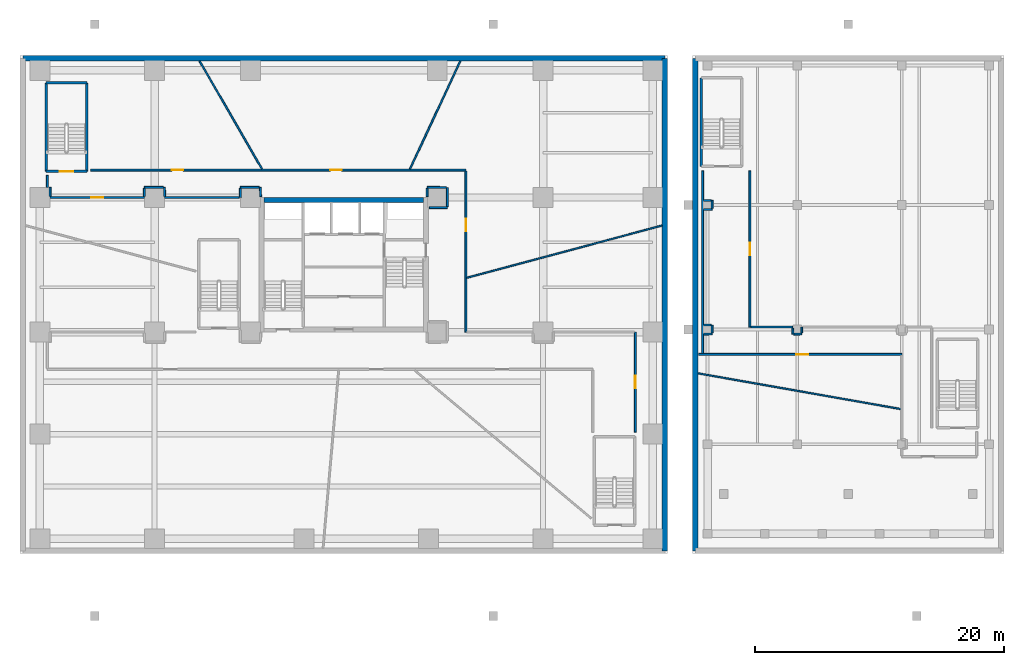
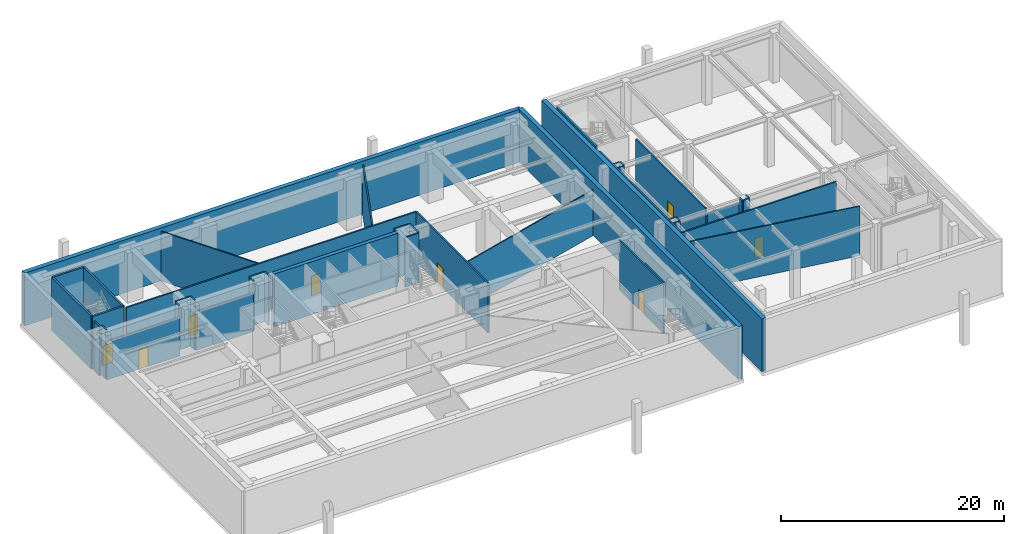
# One storey, part 5 of 12: 43 walls, 8 doors, 8 openings.
"""IFC4 building model written with IfcOpenShell, lengths in metres."""

from ifc_helpers import new_model, si_unit, direction, frame, frame_2d, origin, place, context, subcontext, project, spatial, rectangle, extrude, source, transform, mapped, material, layer, layer_set, type_object, type_shapes, element, fill, save


model = new_model("IFC4")

# Units and contexts
model_context = context("Model", 3, precision=1e-05, world=origin(), true_north=direction((0.0, 1.0)))
body_context = subcontext(model_context, "Body", "Model", "MODEL_VIEW")
ifc_project = project(units=[si_unit("LENGTHUNIT", "METRE"), si_unit("AREAUNIT", "SQUARE_METRE"), si_unit("VOLUMEUNIT", "CUBIC_METRE"), si_unit("PLANEANGLEUNIT", "RADIAN"), si_unit("MASSUNIT", "GRAM", prefix="KILO")], contexts=[model_context])

# Site, building, storey
site_placement = place(None, origin())
site = spatial("IfcSite", under=ifc_project, at=site_placement, CompositionType="ELEMENT")
building_placement = place(site_placement, origin())
building = spatial("IfcBuilding", under=site, at=building_placement, Name="Talar Marvaseh", CompositionType="ELEMENT")
storey_placement = place(building_placement, frame((0.0, 0.0, -5.800048828125)))
storey = spatial("IfcBuildingStorey", under=building, at=storey_placement, Name="B01", CompositionType="ELEMENT", Elevation=-5.800048828125)

# Walls
ifc_material_1 = material(Name="Concrete C50/60", Category="concrete")
ifc_layer_1 = layer(ifc_material_1, 0.449951171875)
ifc_layer_set_1 = layer_set([ifc_layer_1], Name="Concrete C50/60")
wall_type_1 = type_object("IfcWallType", Name="Basement Perimeter Waterproof Retaining Wall 450", PredefinedType="SHEAR", material=ifc_layer_set_1)
wall_1_placement = place(storey_placement, frame((0.22509765625, 47.77490234375, 0.0), z_axis=(0.0, 0.0, 1.0), x_axis=(1.0, 0.0, 0.0)))
element("IfcWall", 1, at=wall_1_placement, inside=storey, type_object=wall_type_1, Name="B01 Basement Retaining Wall", PredefinedType="SHEAR", context=body_context, shape_type="SweptSolid", body=[
    extrude(rectangle(XDim=51.5498046875, YDim=0.449951171875, at=frame_2d((25.77490234375, 0.0))), origin(), (0.0, 0.0, 1.0), 5.800048828125),
])
for number, where, z_axis, x_axis, name in (
    (2, (51.77490234375, 47.77490234375, 0.0), (0.0, 0.0, 1.0), (0.0, -1.0, 0.0), "B01 Basement Retaining Wall"),
    (3, (54.22509765625, 8.22509765625, 0.0), (0.0, 0.0, 1.0), (0.0, 1.0, 0.0), "B01 Basement Retaining Wall"),
):
    element("IfcWall", number, at=place(storey_placement, frame(where, z_axis=z_axis, x_axis=x_axis)), inside=storey, type_object=wall_type_1, Name=name, PredefinedType="SHEAR", context=body_context, shape_type="SweptSolid", body=[
        extrude(rectangle(XDim=39.5498046875, YDim=0.449951171875, at=frame_2d((19.77490234375, 0.0))), origin(), (0.0, 0.0, 1.0), 5.800048828125),
    ])

# Wall, opening, door
ifc_material_2 = material(Name="Gypsum Board Partition Assembly")
ifc_layer_2 = layer(ifc_material_2, 0.155029296875)
ifc_layer_set_2 = layer_set([ifc_layer_2], Name="Gypsum Board Partition Assembly")
wall_type_2 = type_object("IfcWallType", Name="Corridor Fire-Rated Acoustic Partition 155", PredefinedType="PARTITIONING", material=ifc_layer_set_2)
wall_2_placement = place(storey_placement, frame((9.985107421875, 36.60009765625, 0.0), z_axis=(0.0, 0.0, 1.0), x_axis=(-1.0, 0.0, 0.0)))
wall_2 = element("IfcWall", 4, at=wall_2_placement, inside=storey, type_object=wall_type_2, Name="B01 Interior Partition Wall", PredefinedType="PARTITIONING", context=body_context, shape_type="SweptSolid", body=[
    extrude(rectangle(XDim=7.570068359375, YDim=0.155029296875, at=frame_2d((3.78515625, 0.0))), origin(), (0.0, 0.0, 1.0), 4.22509765625),
])
opening_1_placement = place(wall_2_placement, frame((3.31005859375, 0.0, 0.0)))
opening_1 = element("IfcOpeningElement", 5, at=opening_1_placement, cuts=wall_2, Name="Opening DR-WC095", PredefinedType="OPENING", context=body_context, shape_type="SweptSolid", body=[
    extrude(rectangle(XDim=0.949951171875, YDim=2.14990234375, at=frame_2d((0.47509765625, 1.074951171875))), frame((0.0, 0.08740234375, 0.0), z_axis=(0.0, -1.0, 0.0), x_axis=(1.0, 0.0, 0.0)), (0.0, 0.0, 1.0), 0.175048828125),
])
ifc_material_3 = material(Name="Acoustic Engineered Oak Timber", Category="wood")
door_type_1 = type_object("IfcDoorType", Name="Washroom and Service Room Door 950x2150", OperationType="NOTDEFINED", PredefinedType="DOOR", material=ifc_material_3)
shared_shape_1 = source(origin(), body_context, "Body", "SweptSolid", [
    extrude(rectangle(XDim=0.949951171875, YDim=2.14990234375, at=frame_2d((0.47509765625, 1.074951171875))), frame((0.0, 0.02490234375, 0.0), z_axis=(0.0, -1.0, 0.0), x_axis=(1.0, 0.0, 0.0)), (0.0, 0.0, 1.0), 0.050048828125),
])
type_shapes(door_type_1, [shared_shape_1])
door_1_placement = place(opening_1_placement, origin())
door_1 = element("IfcDoor", 6, at=door_1_placement, inside=storey, type_object=door_type_1, Name="B01 WC Public Washrooms Door", OperationType="SINGLE_SWING_RIGHT", OverallHeight=2.14990234375, OverallWidth=0.949951171875, PredefinedType="DOOR", context=body_context, shape_type="MappedRepresentation", body=[
    mapped(shared_shape_1, transform((0.0, 0.0, 0.0), x_axis=(1.0, 0.0, 0.0), y_axis=(0.0, 1.0, 0.0), z_axis=(0.0, 0.0, 1.0), scale=1.0)),
])
fill(opening_1, door_1)

# Wall, openings, doors
wall_3_placement = place(storey_placement, frame((5.669921875, 38.800048828125, 0.0), z_axis=(0.0, 0.0, 1.0), x_axis=(1.0, 0.0, 0.0)))
wall_3 = element("IfcWall", 7, at=wall_3_placement, inside=storey, type_object=wall_type_2, Name="B01 Interior Partition Wall", PredefinedType="PARTITIONING", context=body_context, shape_type="SweptSolid", body=[
    extrude(rectangle(XDim=30.130126953125, YDim=0.155029296875, at=frame_2d((15.06494140625, 0.0))), origin(), (0.0, 0.0, 1.0), 5.449951171875),
])
opening_2_placement = place(wall_3_placement, frame((19.22412109375, 0.0, 0.0)))
opening_2 = element("IfcOpeningElement", 8, at=opening_2_placement, cuts=wall_3, Name="Opening DR-WC095", PredefinedType="OPENING", context=body_context, shape_type="SweptSolid", body=[
    extrude(rectangle(XDim=0.949951171875, YDim=2.14990234375, at=frame_2d((0.47509765625, 1.074951171875))), frame((0.0, 0.08740234375, 0.0), z_axis=(0.0, -1.0, 0.0), x_axis=(1.0, 0.0, 0.0)), (0.0, 0.0, 1.0), 0.175048828125),
])
opening_3_placement = place(wall_3_placement, frame((6.497802734375, 0.0, 0.0)))
opening_3 = element("IfcOpeningElement", 9, at=opening_3_placement, cuts=wall_3, Name="Opening DR-WC095", PredefinedType="OPENING", context=body_context, shape_type="SweptSolid", body=[
    extrude(rectangle(XDim=0.949951171875, YDim=2.14990234375, at=frame_2d((0.47509765625, 1.074951171875))), frame((0.0, 0.08740234375, 0.0), z_axis=(0.0, -1.0, 0.0), x_axis=(1.0, 0.0, 0.0)), (0.0, 0.0, 1.0), 0.175048828125),
])
door_2_placement = place(opening_2_placement, origin())
door_2 = element("IfcDoor", 10, at=door_2_placement, inside=storey, type_object=door_type_1, Name="B01 Bicycle Parking Hub Door", OperationType="SINGLE_SWING_RIGHT", OverallHeight=2.14990234375, OverallWidth=0.949951171875, PredefinedType="DOOR", context=body_context, shape_type="MappedRepresentation", body=[
    mapped(shared_shape_1, transform((0.0, 0.0, 0.0), x_axis=(1.0, 0.0, 0.0), y_axis=(0.0, 1.0, 0.0), z_axis=(0.0, 0.0, 1.0), scale=1.0)),
])
fill(opening_2, door_2)
door_3_placement = place(opening_3_placement, origin())
door_3 = element("IfcDoor", 11, at=door_3_placement, inside=storey, type_object=door_type_1, Name="B01 Concourse Staff Pantry Door", OperationType="SINGLE_SWING_LEFT", OverallHeight=2.14990234375, OverallWidth=0.949951171875, PredefinedType="DOOR", context=body_context, shape_type="MappedRepresentation", body=[
    mapped(shared_shape_1, transform((0.0, 0.0, 0.0), x_axis=(1.0, 0.0, 0.0), y_axis=(0.0, 1.0, 0.0), z_axis=(0.0, 0.0, 1.0), scale=1.0)),
])
fill(opening_3, door_3)

# Wall, opening, door
wall_4_placement = place(storey_placement, frame((35.800048828125, 38.716552734375, 0.0), z_axis=(0.0, 0.0, 1.0), x_axis=(0.0, -1.0, 0.0)))
wall_4 = element("IfcWall", 12, at=wall_4_placement, inside=storey, type_object=wall_type_2, Name="B01 Interior Partition Wall", PredefinedType="PARTITIONING", context=body_context, shape_type="SweptSolid", body=[
    extrude(rectangle(XDim=12.91650390625, YDim=0.155029296875, at=frame_2d((6.458251953125, 0.0))), origin(), (0.0, 0.0, 1.0), 5.449951171875),
])
opening_4_placement = place(wall_4_placement, frame((3.823486328125, 0.0, 0.0)))
opening_4 = element("IfcOpeningElement", 13, at=opening_4_placement, cuts=wall_4, Name="Opening DR-RM100", PredefinedType="OPENING", context=body_context, shape_type="SweptSolid", body=[
    extrude(rectangle(XDim=1.0, YDim=2.14990234375, at=frame_2d((0.5, 1.074951171875))), frame((0.0, 0.08740234375, 0.0), z_axis=(0.0, -1.0, 0.0), x_axis=(1.0, 0.0, 0.0)), (0.0, 0.0, 1.0), 0.175048828125),
])
door_type_2 = type_object("IfcDoorType", Name="Corridor Fire-Rated Gallery Door 1000x2150", OperationType="NOTDEFINED", PredefinedType="DOOR", material=ifc_material_3)
shared_shape_2 = source(origin(), body_context, "Body", "SweptSolid", [
    extrude(rectangle(XDim=1.0, YDim=2.14990234375, at=frame_2d((0.5, 1.074951171875))), frame((0.0, 0.02490234375, 0.0), z_axis=(0.0, -1.0, 0.0), x_axis=(1.0, 0.0, 0.0)), (0.0, 0.0, 1.0), 0.050048828125),
])
type_shapes(door_type_2, [shared_shape_2])
door_4_placement = place(opening_4_placement, origin())
door_4 = element("IfcDoor", 14, at=door_4_placement, inside=storey, type_object=door_type_2, Name="B01 Station Control Room Door", OperationType="SINGLE_SWING_LEFT", OverallHeight=2.14990234375, OverallWidth=1.0, PredefinedType="DOOR", context=body_context, shape_type="MappedRepresentation", body=[
    mapped(shared_shape_2, transform((0.0, 0.0, 0.0), x_axis=(1.0, 0.0, 0.0), y_axis=(0.0, 1.0, 0.0), z_axis=(0.0, 0.0, 1.0), scale=1.0)),
])
fill(opening_4, door_4)

wall_5_placement = place(storey_placement, frame((49.39990234375, 25.800048828125, 0.0), z_axis=(0.0, 0.0, 1.0), x_axis=(0.0, -1.0, 0.0)))
wall_5 = element("IfcWall", 15, at=wall_5_placement, inside=storey, type_object=wall_type_2, Name="B01 Interior Partition Wall", PredefinedType="PARTITIONING", context=body_context, shape_type="SweptSolid", body=[
    extrude(rectangle(XDim=8.030029296875, YDim=0.155029296875, at=frame_2d((4.01513671875, 0.0))), origin(), (0.0, 0.0, 1.0), 5.449951171875),
])
opening_5_placement = place(wall_5_placement, frame((3.514892578125, 0.0, 0.0)))
opening_5 = element("IfcOpeningElement", 16, at=opening_5_placement, cuts=wall_5, Name="Opening DR-RM100", PredefinedType="OPENING", context=body_context, shape_type="SweptSolid", body=[
    extrude(rectangle(XDim=1.0, YDim=2.14990234375, at=frame_2d((0.5, 1.074951171875))), frame((0.0, 0.08740234375, 0.0), z_axis=(0.0, -1.0, 0.0), x_axis=(1.0, 0.0, 0.0)), (0.0, 0.0, 1.0), 0.175048828125),
])
door_5_placement = place(opening_5_placement, origin())
door_5 = element("IfcDoor", 17, at=door_5_placement, inside=storey, type_object=door_type_2, Name="B01 Ticket Vending and Customer Office Door", OperationType="SINGLE_SWING_RIGHT", OverallHeight=2.14990234375, OverallWidth=1.0, PredefinedType="DOOR", context=body_context, shape_type="MappedRepresentation", body=[
    mapped(shared_shape_2, transform((0.0, 0.0, 0.0), x_axis=(1.0, 0.0, 0.0), y_axis=(0.0, 1.0, 0.0), z_axis=(0.0, 0.0, 1.0), scale=1.0)),
])
fill(opening_5, door_5)

wall_6_placement = place(storey_placement, frame((70.800048828125, 24.0, 0.0), z_axis=(0.0, 0.0, 1.0), x_axis=(-1.0, 0.0, 0.0)))
wall_6 = element("IfcWall", 18, at=wall_6_placement, inside=storey, type_object=wall_type_2, Name="B01 Interior Partition Wall", PredefinedType="PARTITIONING", context=body_context, shape_type="SweptSolid", body=[
    extrude(rectangle(XDim=16.31494140625, YDim=0.155029296875, at=frame_2d((8.157470703125, 0.0))), origin(), (0.0, 0.0, 1.0), 5.449951171875),
])
opening_6_placement = place(wall_6_placement, frame((7.52490234375, 0.0, 0.0)))
opening_6 = element("IfcOpeningElement", 19, at=opening_6_placement, cuts=wall_6, Name="Opening DR-WC095", PredefinedType="OPENING", context=body_context, shape_type="SweptSolid", body=[
    extrude(rectangle(XDim=0.949951171875, YDim=2.14990234375, at=frame_2d((0.47509765625, 1.074951171875))), frame((0.0, 0.08740234375, 0.0), z_axis=(0.0, -1.0, 0.0), x_axis=(1.0, 0.0, 0.0)), (0.0, 0.0, 1.0), 0.175048828125),
])
door_6_placement = place(opening_6_placement, origin())
door_6 = element("IfcDoor", 20, at=door_6_placement, inside=storey, type_object=door_type_1, Name="B01 WC Public Washrooms Door", OperationType="SINGLE_SWING_RIGHT", OverallHeight=2.14990234375, OverallWidth=0.949951171875, PredefinedType="DOOR", context=body_context, shape_type="MappedRepresentation", body=[
    mapped(shared_shape_1, transform((0.0, 0.0, 0.0), x_axis=(1.0, 0.0, 0.0), y_axis=(0.0, 1.0, 0.0), z_axis=(0.0, 0.0, 1.0), scale=1.0)),
])
fill(opening_6, door_6)

wall_7_placement = place(storey_placement, frame((58.60009765625, 38.72998046875, 0.0), z_axis=(0.0, 0.0, 1.0), x_axis=(0.0, -1.0, 0.0)))
wall_7 = element("IfcWall", 21, at=wall_7_placement, inside=storey, type_object=wall_type_2, Name="B01 Interior Partition Wall", PredefinedType="PARTITIONING", context=body_context, shape_type="SweptSolid", body=[
    extrude(rectangle(XDim=12.530029296875, YDim=0.155029296875, at=frame_2d((6.26513671875, 0.0))), origin(), (0.0, 0.0, 1.0), 5.449951171875),
])
opening_7_placement = place(wall_7_placement, frame((5.764892578125, 0.0, 0.0)))
opening_7 = element("IfcOpeningElement", 22, at=opening_7_placement, cuts=wall_7, Name="Opening DR-RM100", PredefinedType="OPENING", context=body_context, shape_type="SweptSolid", body=[
    extrude(rectangle(XDim=1.0, YDim=2.14990234375, at=frame_2d((0.5, 1.074951171875))), frame((0.0, 0.08740234375, 0.0), z_axis=(0.0, -1.0, 0.0), x_axis=(1.0, 0.0, 0.0)), (0.0, 0.0, 1.0), 0.175048828125),
])
door_7_placement = place(opening_7_placement, origin())
door_7 = element("IfcDoor", 23, at=door_7_placement, inside=storey, type_object=door_type_2, Name="B01 Market Sprinkler and Pump Room Door", OperationType="SINGLE_SWING_LEFT", OverallHeight=2.14990234375, OverallWidth=1.0, PredefinedType="DOOR", context=body_context, shape_type="MappedRepresentation", body=[
    mapped(shared_shape_2, transform((0.0, 0.0, 0.0), x_axis=(1.0, 0.0, 0.0), y_axis=(0.0, 1.0, 0.0), z_axis=(0.0, 0.0, 1.0), scale=1.0)),
])
fill(opening_7, door_7)

# Walls
wall_8_placement = place(storey_placement, frame((32.8701171875, 35.78515625, 0.0), z_axis=(0.0, 0.0, 1.0), x_axis=(0.99999584892, 0.002881343971, 0.0)))
element("IfcWall", 24, at=wall_8_placement, inside=storey, type_object=wall_type_2, Name="B01 Interior Partition Wall", PredefinedType="PARTITIONING", context=body_context, shape_type="SweptSolid", body=[
    extrude(rectangle(XDim=1.4404296875, YDim=0.155029296875, at=frame_2d((0.72021484375, 0.0))), origin(), (0.0, 0.0, 1.0), 5.449951171875),
])
wall_9_placement = place(storey_placement, frame((34.310791015625, 35.872802734375, 0.0), z_axis=(0.0, 0.0, 1.0), x_axis=(0.002717815702, 0.999996306732, 0.0)))
element("IfcWall", 25, at=wall_9_placement, inside=storey, type_object=wall_type_2, Name="B01 Interior Partition Wall", PredefinedType="PARTITIONING", context=body_context, shape_type="SweptSolid", body=[
    extrude(rectangle(XDim=1.527099609375, YDim=0.155029296875, at=frame_2d((0.763671875, 0.0))), origin(), (0.0, 0.0, 1.0), 5.449951171875),
])
wall_10_placement = place(storey_placement, frame((34.2314453125, 37.400634765625, 0.0), z_axis=(0.0, 0.0, 1.0), x_axis=(-0.999967255963, 0.008092404007, 0.0)))
element("IfcWall", 26, at=wall_10_placement, inside=storey, type_object=wall_type_2, Name="B01 Interior Partition Wall", PredefinedType="PARTITIONING", context=body_context, shape_type="SweptSolid", body=[
    extrude(rectangle(XDim=1.53857421875, YDim=0.155029296875, at=frame_2d((0.769287109375, 0.0))), origin(), (0.0, 0.0, 1.0), 5.449951171875),
])
wall_11_placement = place(storey_placement, frame((32.69189453125, 37.32958984375, 0.0), z_axis=(0.0, 0.0, 1.0), x_axis=(-0.010362137944, -0.999946311607, 0.0)))
element("IfcWall", 27, at=wall_11_placement, inside=storey, type_object=wall_type_2, Name="B01 Interior Partition Wall", PredefinedType="PARTITIONING", context=body_context, shape_type="SweptSolid", body=[
    extrude(rectangle(XDim=0.65966796875, YDim=0.155029296875, at=frame_2d((0.329833984375, 0.0))), origin(), (0.0, 0.0, 1.0), 5.449951171875),
])
wall_12_placement = place(storey_placement, frame((19.31494140625, 36.669921875, 0.0), z_axis=(0.0, 0.0, 1.0), x_axis=(-0.019982902894, 0.99980032186, 0.0)))
element("IfcWall", 28, at=wall_12_placement, inside=storey, type_object=wall_type_2, Name="B01 Interior Partition Wall", PredefinedType="PARTITIONING", context=body_context, shape_type="SweptSolid", body=[
    extrude(rectangle(XDim=0.745361328125, YDim=0.155029296875, at=frame_2d((0.37255859375, 0.0))), origin(), (0.0, 0.0, 1.0), 5.449951171875),
])
wall_13_placement = place(storey_placement, frame((19.216552734375, 37.414794921875, 0.0), z_axis=(0.0, 0.0, 1.0), x_axis=(-0.99999937099, -0.00112161442, 0.0)))
element("IfcWall", 29, at=wall_13_placement, inside=storey, type_object=wall_type_2, Name="B01 Interior Partition Wall", PredefinedType="PARTITIONING", context=body_context, shape_type="SweptSolid", body=[
    extrude(rectangle(XDim=1.523681640625, YDim=0.155029296875, at=frame_2d((0.76171875, 0.0))), origin(), (0.0, 0.0, 1.0), 5.449951171875),
])
wall_14_placement = place(storey_placement, frame((17.692138671875, 37.32958984375, 0.0), z_axis=(0.0, 0.0, 1.0), x_axis=(-0.009705031542, -0.999952905072, 0.0)))
element("IfcWall", 30, at=wall_14_placement, inside=storey, type_object=wall_type_2, Name="B01 Interior Partition Wall", PredefinedType="PARTITIONING", context=body_context, shape_type="SweptSolid", body=[
    extrude(rectangle(XDim=0.7294921875, YDim=0.155029296875, at=frame_2d((0.36474609375, 0.0))), origin(), (0.0, 0.0, 1.0), 5.449951171875),
])
wall_15_placement = place(storey_placement, frame((17.6015625, 36.60009765625, 0.0), z_axis=(0.0, 0.0, 1.0), x_axis=(-1.0, 0.0, 0.0)))
element("IfcWall", 31, at=wall_15_placement, inside=storey, type_object=wall_type_2, Name="B01 Interior Partition Wall", PredefinedType="PARTITIONING", context=body_context, shape_type="SweptSolid", body=[
    extrude(rectangle(XDim=5.986572265625, YDim=0.155029296875, at=frame_2d((2.9931640625, 0.0))), origin(), (0.0, 0.0, 1.0), 4.22509765625),
])
wall_16_placement = place(storey_placement, frame((11.613525390625, 36.68359375, 0.0), z_axis=(0.0, 0.0, 1.0), x_axis=(-0.01835471782, 0.999831537977, 0.0)))
element("IfcWall", 32, at=wall_16_placement, inside=storey, type_object=wall_type_2, Name="B01 Interior Partition Wall", PredefinedType="PARTITIONING", context=body_context, shape_type="SweptSolid", body=[
    extrude(rectangle(XDim=0.731689453125, YDim=0.155029296875, at=frame_2d((0.36572265625, 0.0))), origin(), (0.0, 0.0, 1.0), 5.449951171875),
])
wall_17_placement = place(storey_placement, frame((11.5166015625, 37.414794921875, 0.0), z_axis=(0.0, 0.0, 1.0), x_axis=(-0.99999937099, -0.00112161442, 0.0)))
element("IfcWall", 33, at=wall_17_placement, inside=storey, type_object=wall_type_2, Name="B01 Interior Partition Wall", PredefinedType="PARTITIONING", context=body_context, shape_type="SweptSolid", body=[
    extrude(rectangle(XDim=1.523681640625, YDim=0.155029296875, at=frame_2d((0.76171875, 0.0))), origin(), (0.0, 0.0, 1.0), 5.449951171875),
])
wall_18_placement = place(storey_placement, frame((9.9921875, 37.32958984375, 0.0), z_axis=(0.0, 0.0, 1.0), x_axis=(-0.009825678344, -0.999951726857, 0.0)))
element("IfcWall", 34, at=wall_18_placement, inside=storey, type_object=wall_type_2, Name="B01 Interior Partition Wall", PredefinedType="PARTITIONING", context=body_context, shape_type="SweptSolid", body=[
    extrude(rectangle(XDim=0.64599609375, YDim=0.155029296875, at=frame_2d((0.322998046875, 0.0))), origin(), (0.0, 0.0, 1.0), 5.449951171875),
])
wall_19_placement = place(storey_placement, frame((2.414794921875, 36.68359375, 0.0), z_axis=(0.0, 0.0, 1.0), x_axis=(-0.00067750662, 0.999999770492, 0.0)))
element("IfcWall", 35, at=wall_19_placement, inside=storey, type_object=wall_type_2, Name="B01 Interior Partition Wall", PredefinedType="PARTITIONING", context=body_context, shape_type="SweptSolid", body=[
    extrude(rectangle(XDim=0.720703125, YDim=0.155029296875, at=frame_2d((0.3603515625, 0.0))), origin(), (0.0, 0.0, 1.0), 5.449951171875),
])
wall_20_placement = place(storey_placement, frame((2.199951171875, 37.4150390625, 0.0), z_axis=(0.0, 0.0, 1.0), x_axis=(0.0, 1.0, 0.0)))
element("IfcWall", 36, at=wall_20_placement, inside=storey, type_object=wall_type_2, Name="B01 Interior Partition Wall", PredefinedType="PARTITIONING", context=body_context, shape_type="SweptSolid", body=[
    extrude(rectangle(XDim=0.96484375, YDim=0.155029296875, at=frame_2d((0.482421875, 0.0))), origin(), (0.0, 0.0, 1.0), 5.449951171875),
])
wall_21_placement = place(storey_placement, frame((54.800048828125, 24.08349609375, 0.0), z_axis=(0.0, 0.0, 1.0), x_axis=(0.0, 1.0, 0.0)))
element("IfcWall", 37, at=wall_21_placement, inside=storey, type_object=wall_type_2, Name="B01 Interior Partition Wall", PredefinedType="PARTITIONING", context=body_context, shape_type="SweptSolid", body=[
    extrude(rectangle(XDim=14.646484375, YDim=0.155029296875, at=frame_2d((7.3232421875, 0.0))), origin(), (0.0, 0.0, 1.0), 5.449951171875),
])
wall_22_placement = place(storey_placement, frame((58.68359375, 26.199951171875, 0.0), z_axis=(0.0, 0.0, 1.0), x_axis=(1.0, 0.0, 0.0)))
element("IfcWall", 38, at=wall_22_placement, inside=storey, type_object=wall_type_2, Name="B01 Interior Partition Wall", PredefinedType="PARTITIONING", context=body_context, shape_type="SweptSolid", body=[
    extrude(rectangle(XDim=3.351318359375, YDim=0.155029296875, at=frame_2d((1.67578125, 0.0))), origin(), (0.0, 0.0, 1.0), 4.881103515625),
])
wall_23_placement = place(storey_placement, frame((62.037109375, 26.116455078125, 0.0), z_axis=(0.0, 0.0, 1.0), x_axis=(0.026866566186, -0.999639028661, 0.0)))
element("IfcWall", 39, at=wall_23_placement, inside=storey, type_object=wall_type_2, Name="B01 Interior Partition Wall", PredefinedType="PARTITIONING", context=body_context, shape_type="SweptSolid", body=[
    extrude(rectangle(XDim=0.481689453125, YDim=0.155029296875, at=frame_2d((0.24072265625, 0.0))), origin(), (0.0, 0.0, 1.0), 5.449951171875),
])
wall_24_placement = place(storey_placement, frame((62.133544921875, 25.635498046875, 0.0), z_axis=(0.0, 0.0, 1.0), x_axis=(0.999989048104, 0.004680135951, 0.0)))
element("IfcWall", 40, at=wall_24_placement, inside=storey, type_object=wall_type_2, Name="B01 Interior Partition Wall", PredefinedType="PARTITIONING", context=body_context, shape_type="SweptSolid", body=[
    extrude(rectangle(XDim=0.6259765625, YDim=0.155029296875, at=frame_2d((0.31298828125, 0.0))), origin(), (0.0, 0.0, 1.0), 5.449951171875),
])
wall_25_placement = place(storey_placement, frame((62.76025390625, 25.721923828125, 0.0), z_axis=(0.0, 0.0, 1.0), x_axis=(0.009703322529, 0.999952921658, 0.0)))
element("IfcWall", 41, at=wall_25_placement, inside=storey, type_object=wall_type_2, Name="B01 Interior Partition Wall", PredefinedType="PARTITIONING", context=body_context, shape_type="SweptSolid", body=[
    extrude(rectangle(XDim=0.47802734375, YDim=0.155029296875, at=frame_2d((0.239013671875, 0.0))), origin(), (0.0, 0.0, 1.0), 5.449951171875),
])
wall_26_placement = place(storey_placement, frame((54.883544921875, 35.63525390625, 0.0), z_axis=(0.0, 0.0, 1.0), x_axis=(0.999981208742, 0.006130429336, 0.0)))
element("IfcWall", 42, at=wall_26_placement, inside=storey, type_object=wall_type_2, Name="B01 Interior Partition Wall", PredefinedType="PARTITIONING", context=body_context, shape_type="SweptSolid", body=[
    extrude(rectangle(XDim=0.677001953125, YDim=0.155029296875, at=frame_2d((0.33837890625, 0.0))), origin(), (0.0, 0.0, 1.0), 5.449951171875),
])
wall_27_placement = place(storey_placement, frame((55.560546875, 35.722900390625, 0.0), z_axis=(0.0, 0.0, 1.0), x_axis=(0.0, 1.0, 0.0)))
element("IfcWall", 43, at=wall_27_placement, inside=storey, type_object=wall_type_2, Name="B01 Interior Partition Wall", PredefinedType="PARTITIONING", context=body_context, shape_type="SweptSolid", body=[
    extrude(rectangle(XDim=0.6376953125, YDim=0.155029296875, at=frame_2d((0.31884765625, 0.0))), origin(), (0.0, 0.0, 1.0), 5.449951171875),
])
wall_28_placement = place(storey_placement, frame((55.47705078125, 36.360595703125, 0.0), z_axis=(0.0, 0.0, 1.0), x_axis=(-1.0, 0.0, 0.0)))
element("IfcWall", 44, at=wall_28_placement, inside=storey, type_object=wall_type_2, Name="B01 Interior Partition Wall", PredefinedType="PARTITIONING", context=body_context, shape_type="SweptSolid", body=[
    extrude(rectangle(XDim=0.593505859375, YDim=0.155029296875, at=frame_2d((0.296875, 0.0))), origin(), (0.0, 0.0, 1.0), 5.449951171875),
])
wall_29_placement = place(storey_placement, frame((54.883544921875, 25.63525390625, 0.0), z_axis=(0.0, 0.0, 1.0), x_axis=(0.999981208742, 0.006130429336, 0.0)))
element("IfcWall", 45, at=wall_29_placement, inside=storey, type_object=wall_type_2, Name="B01 Interior Partition Wall", PredefinedType="PARTITIONING", context=body_context, shape_type="SweptSolid", body=[
    extrude(rectangle(XDim=0.677001953125, YDim=0.155029296875, at=frame_2d((0.33837890625, 0.0))), origin(), (0.0, 0.0, 1.0), 5.449951171875),
])
wall_30_placement = place(storey_placement, frame((55.560546875, 25.722900390625, 0.0), z_axis=(0.0, 0.0, 1.0), x_axis=(0.0, 1.0, 0.0)))
element("IfcWall", 46, at=wall_30_placement, inside=storey, type_object=wall_type_2, Name="B01 Interior Partition Wall", PredefinedType="PARTITIONING", context=body_context, shape_type="SweptSolid", body=[
    extrude(rectangle(XDim=0.6376953125, YDim=0.155029296875, at=frame_2d((0.31884765625, 0.0))), origin(), (0.0, 0.0, 1.0), 5.449951171875),
])
wall_31_placement = place(storey_placement, frame((55.47705078125, 26.360595703125, 0.0), z_axis=(0.0, 0.0, 1.0), x_axis=(-1.0, 0.0, 0.0)))
element("IfcWall", 47, at=wall_31_placement, inside=storey, type_object=wall_type_2, Name="B01 Interior Partition Wall", PredefinedType="PARTITIONING", context=body_context, shape_type="SweptSolid", body=[
    extrude(rectangle(XDim=0.593505859375, YDim=0.155029296875, at=frame_2d((0.296875, 0.0))), origin(), (0.0, 0.0, 1.0), 5.449951171875),
])
ifc_layer_3 = layer(ifc_material_2, 0.1201171875)
ifc_layer_set_3 = layer_set([ifc_layer_3], Name="Gypsum Board Partition Assembly")
wall_type_3 = type_object("IfcWallType", Name="Demountable Studio Room Partition 120", PredefinedType="PARTITIONING", material=ifc_layer_set_3)
wall_32_placement = place(storey_placement, frame((35.86279296875, 30.146728515625, 0.0), z_axis=(0.0, 0.0, 1.0), x_axis=(0.965926109503, 0.25881798813, 0.0)))
element("IfcWall", 48, at=wall_32_placement, inside=storey, type_object=wall_type_3, Name="B01 Interior Partition Wall", PredefinedType="PARTITIONING", context=body_context, shape_type="SweptSolid", body=[
    extrude(rectangle(XDim=16.24072265625, YDim=0.1201171875, at=frame_2d((8.120361328125, 0.0))), origin(), (0.0, 0.0, 1.0), 5.011962890625),
])
wall_33_placement = place(storey_placement, frame((54.449951171875, 22.47998046875, 0.0), z_axis=(0.0, 0.0, 1.0), x_axis=(0.984839094255, -0.173470338752, 0.0)))
element("IfcWall", 49, at=wall_33_placement, inside=storey, type_object=wall_type_3, Name="B01 Interior Partition Wall", PredefinedType="PARTITIONING", context=body_context, shape_type="SweptSolid", body=[
    extrude(rectangle(XDim=16.536865234375, YDim=0.1201171875, at=frame_2d((8.2685546875, 0.0))), origin(), (0.0, 0.0, 1.0), 5.449951171875),
])
ifc_layer_4 = layer(ifc_material_2, 0.135009765625)
ifc_layer_set_4 = layer_set([ifc_layer_4], Name="Gypsum Board Partition Assembly")
wall_type_4 = type_object("IfcWallType", Name="Gallery High-Acoustic Partition 135", PredefinedType="PARTITIONING", material=ifc_layer_set_4)
wall_34_placement = place(storey_placement, frame((31.30908203125, 38.883544921875, 0.0), z_axis=(0.0, 0.0, 1.0), x_axis=(0.422597515668, 0.9063174608, 0.0)))
element("IfcWall", 50, at=wall_34_placement, inside=storey, type_object=wall_type_4, Name="B01 Interior Partition Wall", PredefinedType="PARTITIONING", context=body_context, shape_type="SweptSolid", body=[
    extrude(rectangle(XDim=9.562255859375, YDim=0.135009765625, at=frame_2d((4.78125, 0.0))), origin(), (0.0, 0.0, 1.0), 5.449951171875),
])
wall_35_placement = place(storey_placement, frame((19.431884765625, 38.883544921875, 0.0), z_axis=(0.0, 0.0, 1.0), x_axis=(-0.500625745696, 0.865663827791, 0.0)))
element("IfcWall", 51, at=wall_35_placement, inside=storey, type_object=wall_type_4, Name="B01 Interior Partition Wall", PredefinedType="PARTITIONING", context=body_context, shape_type="SweptSolid", body=[
    extrude(rectangle(XDim=10.011474609375, YDim=0.135009765625, at=frame_2d((5.005859375, 0.0))), origin(), (0.0, 0.0, 1.0), 5.449951171875),
])
ifc_material_4 = material(Name="Concrete C70/85", Category="concrete")
ifc_layer_5 = layer(ifc_material_4, 0.39990234375)
ifc_layer_set_5 = layer_set([ifc_layer_5], Name="Concrete C70/85")
wall_type_5 = type_object("IfcWallType", Name="Lower Core Reinforced Concrete Shear Wall 400", PredefinedType="SHEAR", material=ifc_layer_set_5)
wall_36_placement = place(storey_placement, frame((19.60009765625, 36.39990234375, 0.0), z_axis=(0.0, 0.0, 1.0), x_axis=(1.0, 0.0, 0.0)))
element("IfcWall", 52, at=wall_36_placement, inside=storey, type_object=wall_type_5, Name="B01 North Core Shear Wall", PredefinedType="SHEAR", context=body_context, shape_type="SweptSolid", body=[
    extrude(rectangle(XDim=12.7998046875, YDim=0.39990234375, at=frame_2d((6.39990234375, 0.0))), origin(), (0.0, 0.0, 1.0), 5.800048828125),
])

# Wall, opening, door
ifc_layer_6 = layer(ifc_material_1, 0.199951171875)
ifc_layer_set_6 = layer_set([ifc_layer_6], Name="Concrete C50/60")
wall_type_6 = type_object("IfcWallType", Name="Stair Shaft Structural Concrete Shear Wall 200", PredefinedType="SHEAR", material=ifc_layer_set_6)
wall_37_placement = place(storey_placement, frame((5.360107421875, 38.699951171875, 0.0), z_axis=(0.0, 0.0, 1.0), x_axis=(-1.0, 0.0, 0.0)))
wall_37 = element("IfcWall", 53, at=wall_37_placement, inside=storey, type_object=wall_type_6, Name="B01 STN-ST1 South Shear Wall", PredefinedType="SHEAR", context=body_context, shape_type="SweptSolid", body=[
    extrude(rectangle(XDim=3.260009765625, YDim=0.199951171875, at=frame_2d((1.6298828125, 0.0))), origin(), (0.0, 0.0, 1.0), 5.800048828125),
])
opening_8_placement = place(wall_37_placement, frame((1.10009765625, 0.0, 0.0)))
opening_8 = element("IfcOpeningElement", 54, at=opening_8_placement, cuts=wall_37, Name="Opening DR-ST105", PredefinedType="OPENING", context=body_context, shape_type="SweptSolid", body=[
    extrude(rectangle(XDim=1.050048828125, YDim=2.14990234375, at=frame_2d((0.52490234375, 1.074951171875))), frame((0.0, 0.10986328125, 0.0), z_axis=(0.0, -1.0, 0.0), x_axis=(1.0, 0.0, 0.0)), (0.0, 0.0, 1.0), 0.219970703125),
])
ifc_material_5 = material(Name="Fire-Rated Steel Door Leaf", Category="steel")
door_type_3 = type_object("IfcDoorType", Name="Protected Exit Stair Fire Door 1050x2150", OperationType="NOTDEFINED", PredefinedType="DOOR", material=ifc_material_5)
shared_shape_3 = source(origin(), body_context, "Body", "SweptSolid", [
    extrude(rectangle(XDim=1.050048828125, YDim=2.14990234375, at=frame_2d((0.52490234375, 1.074951171875))), frame((0.0, 0.02490234375, 0.0), z_axis=(0.0, -1.0, 0.0), x_axis=(1.0, 0.0, 0.0)), (0.0, 0.0, 1.0), 0.050048828125),
])
type_shapes(door_type_3, [shared_shape_3])
door_8_placement = place(opening_8_placement, origin())
door_8 = element("IfcDoor", 55, at=door_8_placement, inside=storey, type_object=door_type_3, Name="B01 STN-ST1 Exit Door", OperationType="SINGLE_SWING_RIGHT", OverallHeight=2.14990234375, OverallWidth=1.050048828125, PredefinedType="DOOR", context=body_context, shape_type="MappedRepresentation", body=[
    mapped(shared_shape_3, transform((0.0, 0.0, 0.0), x_axis=(1.0, 0.0, 0.0), y_axis=(0.0, 1.0, 0.0), z_axis=(0.0, 0.0, 1.0), scale=1.0)),
])
fill(opening_8, door_8)

# Walls
wall_38_placement = place(storey_placement, frame((2.10009765625, 45.800048828125, 0.0), z_axis=(0.0, 0.0, 1.0), x_axis=(1.0, 0.0, 0.0)))
element("IfcWall", 56, at=wall_38_placement, inside=storey, type_object=wall_type_6, Name="B01 STN-ST1 North Shear Wall", PredefinedType="SHEAR", context=body_context, shape_type="SweptSolid", body=[
    extrude(rectangle(XDim=3.260009765625, YDim=0.199951171875, at=frame_2d((1.6298828125, 0.0))), origin(), (0.0, 0.0, 1.0), 5.800048828125),
])
for number, where, z_axis, x_axis, name in (
    (57, (2.10009765625, 38.699951171875, 0.0), (0.0, 0.0, 1.0), (0.0, 1.0, 0.0), "B01 STN-ST1 West Shear Wall"),
    (58, (5.360107421875, 38.699951171875, 0.0), (0.0, 0.0, 1.0), (0.0, 1.0, 0.0), "B01 STN-ST1 East Shear Wall"),
):
    element("IfcWall", number, at=place(storey_placement, frame(where, z_axis=z_axis, x_axis=x_axis)), inside=storey, type_object=wall_type_6, Name=name, PredefinedType="SHEAR", context=body_context, shape_type="SweptSolid", body=[
        extrude(rectangle(XDim=7.10009765625, YDim=0.199951171875, at=frame_2d((3.550048828125, 0.0))), origin(), (0.0, 0.0, 1.0), 5.800048828125),
    ])
wall_39_placement = place(storey_placement, frame((54.699951171875, 39.10009765625, 0.0), z_axis=(0.0, 0.0, 1.0), x_axis=(0.0, 1.0, 0.0)))
element("IfcWall", 59, at=wall_39_placement, inside=storey, type_object=wall_type_6, Name="B01 MH-ST1 West Shear Wall", PredefinedType="SHEAR", context=body_context, shape_type="SweptSolid", body=[
    extrude(rectangle(XDim=7.099853515625, YDim=0.199951171875, at=frame_2d((3.5498046875, 0.0))), origin(), (0.0, 0.0, 1.0), 5.800048828125),
])

save(model, "model.ifc")
